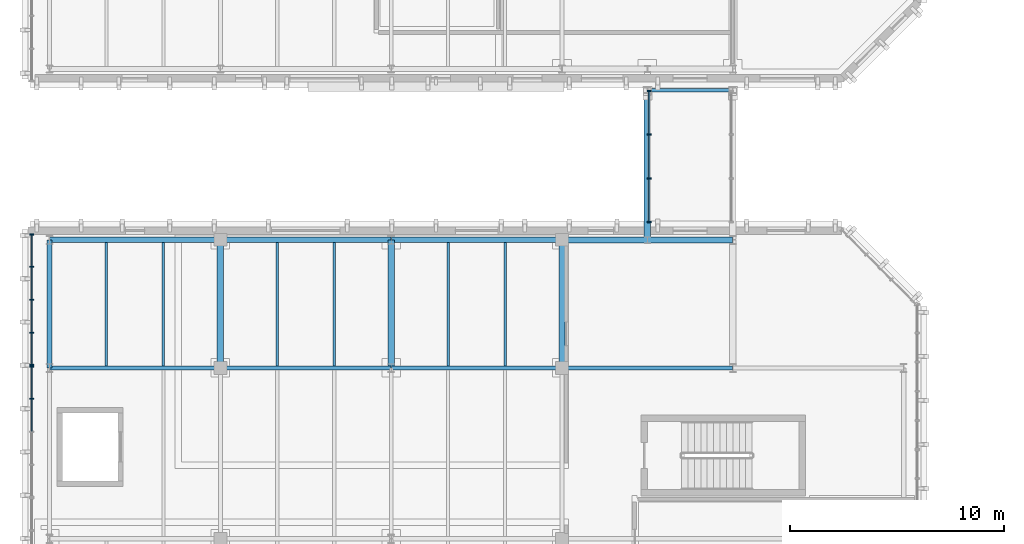
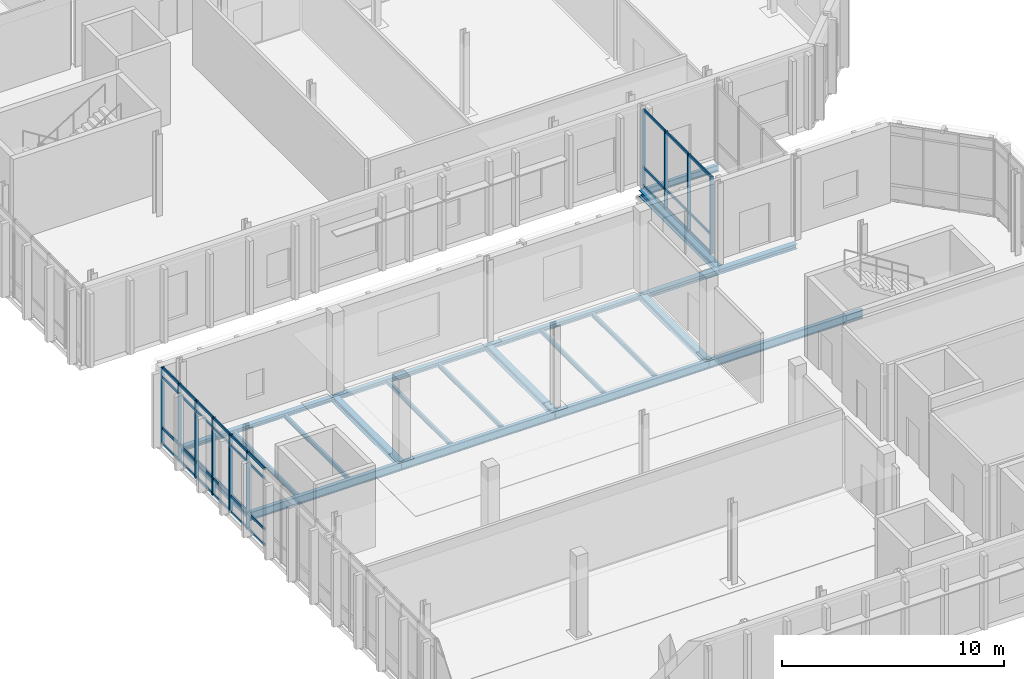
# One storey, part 36 of 100: 44 members, 21 beams, 3 elements without a shape of their own.
"""IFC4 building model written with IfcOpenShell, lengths in metres."""

from ifc_helpers import new_model, si_unit, direction, frame, origin, origin_2d, place, context, subcontext, project, spatial, rectangle, i_section, extrude, material, material_profile, profile_set, type_object, element, aggregate, save


model = new_model("IFC4")

# Units and contexts
model_context = context("Model", 3, precision=1e-05, world=origin(), true_north=direction((0.0, 1.0)))
body_context = subcontext(model_context, "Body", "Model", "MODEL_VIEW")
ifc_project = project(units=[si_unit("LENGTHUNIT", "METRE"), si_unit("AREAUNIT", "SQUARE_METRE"), si_unit("VOLUMEUNIT", "CUBIC_METRE"), si_unit("PLANEANGLEUNIT", "RADIAN"), si_unit("MASSUNIT", "GRAM", prefix="KILO")], contexts=[model_context])

# Site, building, storey
site_placement = place(None, origin())
site = spatial("IfcSite", under=ifc_project, at=site_placement, CompositionType="ELEMENT")
building_placement = place(site_placement, origin())
building = spatial("IfcBuilding", under=site, at=building_placement, Name="Cymarion Research Institute", CompositionType="ELEMENT")
storey_placement = place(building_placement, frame((0.0, 0.0, 9.300048828125)))
storey = spatial("IfcBuildingStorey", under=building, at=storey_placement, Name="L02", CompositionType="ELEMENT", Elevation=9.300048828125)

# Curtain wall, members
ifc_material_1 = material(Name="Anodised aluminium unitised curtain wall with Low-E glazing", Category="aluminium")
curtain_wall_type_1 = type_object("IfcCurtainWallType", Name="UNITISED CURTAIN WALL CW22 6180X4250", PredefinedType="NOTDEFINED", material=ifc_material_1)
curtain_wall_1_placement = place(storey_placement, origin())
curtain_wall_1 = element("IfcCurtainWall", 1, at=curtain_wall_1_placement, inside=storey, type_object=curtain_wall_type_1, Name="L02 V4 unitised curtain wall CW22 #103", PredefinedType="NOTDEFINED")
ifc_material_2 = material(Name="Anodised aluminium framing", Category="aluminium")
ifc_material_profile_1 = material_profile(ifc_material_2, rectangle(XDim=0.06005859375, YDim=0.179931640625, at=origin_2d()), Name="ALU MULLION 60x180")
ifc_profile_set_1 = profile_set([ifc_material_profile_1], Name="Anodised aluminium framing")
member_type_1 = type_object("IfcMemberType", Name="CURTAIN WALL MULLION ML01 60X180", PredefinedType="MULLION", material=ifc_profile_set_1)
member_1_placement = place(storey_placement, frame((5.77001953125, 77.748046875, 0.0), z_axis=(0.0, 0.0, 1.0), x_axis=(0.0, -1.0, 0.0)))
member_1 = element("IfcMember", 2, at=member_1_placement, type_object=member_type_1, Name="CW22 mullion 1", PredefinedType="MULLION", context=body_context, shape_type="SweptSolid", body=[
    extrude(rectangle(XDim=0.06005859375, YDim=0.179931640625, at=origin_2d()), origin(), (0.0, 0.0, 1.0), 4.25),
])
member_2_placement = place(storey_placement, frame((5.77001953125, 76.234130859375, 0.0), z_axis=(0.0, 0.0, 1.0), x_axis=(0.0, -1.0, 0.0)))
member_2 = element("IfcMember", 3, at=member_2_placement, type_object=member_type_1, Name="CW22 mullion 2", PredefinedType="MULLION", context=body_context, shape_type="SweptSolid", body=[
    extrude(rectangle(XDim=0.06005859375, YDim=0.179931640625, at=origin_2d()), origin(), (0.0, 0.0, 1.0), 4.25),
])
member_3_placement = place(storey_placement, frame((5.77001953125, 74.690185546875, 0.0), z_axis=(0.0, 0.0, 1.0), x_axis=(0.0, -1.0, 0.0)))
member_3 = element("IfcMember", 4, at=member_3_placement, type_object=member_type_1, Name="CW22 mullion 3", PredefinedType="MULLION", context=body_context, shape_type="SweptSolid", body=[
    extrude(rectangle(XDim=0.06005859375, YDim=0.179931640625, at=origin_2d()), origin(), (0.0, 0.0, 1.0), 4.25),
])
member_4_placement = place(storey_placement, frame((5.77001953125, 73.146240234375, 0.0), z_axis=(0.0, 0.0, 1.0), x_axis=(0.0, -1.0, 0.0)))
member_4 = element("IfcMember", 5, at=member_4_placement, type_object=member_type_1, Name="CW22 mullion 4", PredefinedType="MULLION", context=body_context, shape_type="SweptSolid", body=[
    extrude(rectangle(XDim=0.06005859375, YDim=0.179931640625, at=origin_2d()), origin(), (0.0, 0.0, 1.0), 4.25),
])
member_5_placement = place(storey_placement, frame((5.77001953125, 71.63232421875, 0.0), z_axis=(0.0, 0.0, 1.0), x_axis=(0.0, -1.0, 0.0)))
member_5 = element("IfcMember", 6, at=member_5_placement, type_object=member_type_1, Name="CW22 mullion 5", PredefinedType="MULLION", context=body_context, shape_type="SweptSolid", body=[
    extrude(rectangle(XDim=0.06005859375, YDim=0.179931640625, at=origin_2d()), origin(), (0.0, 0.0, 1.0), 4.25),
])

curtain_wall_2_placement = place(storey_placement, origin())
curtain_wall_2 = element("IfcCurtainWall", 7, at=curtain_wall_2_placement, inside=storey, type_object=curtain_wall_type_1, Name="L02 V4 unitised curtain wall CW22 #104", PredefinedType="NOTDEFINED")
member_6_placement = place(storey_placement, frame((5.77001953125, 71.572509765625, 0.0), z_axis=(0.0, 0.0, 1.0), x_axis=(0.0, -1.0, 0.0)))
member_6 = element("IfcMember", 8, at=member_6_placement, type_object=member_type_1, Name="CW22 mullion 1", PredefinedType="MULLION", context=body_context, shape_type="SweptSolid", body=[
    extrude(rectangle(XDim=0.06005859375, YDim=0.179931640625, at=origin_2d()), origin(), (0.0, 0.0, 1.0), 4.25),
])
member_7_placement = place(storey_placement, frame((5.77001953125, 70.05859375, 0.0), z_axis=(0.0, 0.0, 1.0), x_axis=(0.0, -1.0, 0.0)))
member_7 = element("IfcMember", 9, at=member_7_placement, type_object=member_type_1, Name="CW22 mullion 2", PredefinedType="MULLION", context=body_context, shape_type="SweptSolid", body=[
    extrude(rectangle(XDim=0.06005859375, YDim=0.179931640625, at=origin_2d()), origin(), (0.0, 0.0, 1.0), 4.25),
])

curtain_wall_type_2 = type_object("IfcCurtainWallType", Name="UNITISED CURTAIN WALL CW25 6200X4260", PredefinedType="NOTDEFINED", material=ifc_material_1)
curtain_wall_3_placement = place(storey_placement, origin())
curtain_wall_3 = element("IfcCurtainWall", 10, at=curtain_wall_3_placement, inside=storey, type_object=curtain_wall_type_2, Name="L02 SP2 sky-passage glazed wall 1", PredefinedType="NOTDEFINED")
member_8_placement = place(storey_placement, frame((34.679931640625, 78.330078125, 0.0), z_axis=(0.0, 0.0, 1.0), x_axis=(0.0, 1.0, 0.0)))
member_8 = element("IfcMember", 11, at=member_8_placement, type_object=member_type_1, Name="CW25 mullion 1", PredefinedType="MULLION", context=body_context, shape_type="SweptSolid", body=[
    extrude(rectangle(XDim=0.06005859375, YDim=0.179931640625, at=origin_2d()), origin(), (0.0, 0.0, 1.0), 4.260009765625),
])
member_9_placement = place(storey_placement, frame((34.679931640625, 80.36669921875, 0.0), z_axis=(0.0, 0.0, 1.0), x_axis=(0.0, 1.0, 0.0)))
member_9 = element("IfcMember", 12, at=member_9_placement, type_object=member_type_1, Name="CW25 mullion 2", PredefinedType="MULLION", context=body_context, shape_type="SweptSolid", body=[
    extrude(rectangle(XDim=0.06005859375, YDim=0.179931640625, at=origin_2d()), origin(), (0.0, 0.0, 1.0), 4.260009765625),
])
member_10_placement = place(storey_placement, frame((34.679931640625, 82.433349609375, 0.0), z_axis=(0.0, 0.0, 1.0), x_axis=(0.0, 1.0, 0.0)))
member_10 = element("IfcMember", 13, at=member_10_placement, type_object=member_type_1, Name="CW25 mullion 3", PredefinedType="MULLION", context=body_context, shape_type="SweptSolid", body=[
    extrude(rectangle(XDim=0.06005859375, YDim=0.179931640625, at=origin_2d()), origin(), (0.0, 0.0, 1.0), 4.260009765625),
])
member_11_placement = place(storey_placement, frame((34.679931640625, 84.469970703125, 0.0), z_axis=(0.0, 0.0, 1.0), x_axis=(0.0, 1.0, 0.0)))
member_11 = element("IfcMember", 14, at=member_11_placement, type_object=member_type_1, Name="CW25 mullion 4", PredefinedType="MULLION", context=body_context, shape_type="SweptSolid", body=[
    extrude(rectangle(XDim=0.06005859375, YDim=0.179931640625, at=origin_2d()), origin(), (0.0, 0.0, 1.0), 4.260009765625),
])

# Member
ifc_material_profile_2 = material_profile(ifc_material_2, rectangle(XDim=0.06005859375, YDim=0.14990234375, at=origin_2d()), Name="ALU TRANSOM 60x150")
ifc_profile_set_2 = profile_set([ifc_material_profile_2], Name="Anodised aluminium framing")
member_type_2 = type_object("IfcMemberType", Name="CURTAIN WALL TRANSOM TR01 60X150", PredefinedType="USERDEFINED", material=ifc_profile_set_2)
member_12_placement = place(storey_placement, frame((5.77001953125, 77.718017578125, 0.030029296875), z_axis=(0.0, -1.0, 0.0), x_axis=(1.0, 0.0, 0.0)))
member_12 = element("IfcMember", 15, at=member_12_placement, type_object=member_type_2, Name="CW22 transom 1.1", ObjectType="TRANSOM", PredefinedType="USERDEFINED", context=body_context, shape_type="SweptSolid", body=[
    extrude(rectangle(XDim=0.06005859375, YDim=0.14990234375, at=origin_2d()), origin(), (0.0, 0.0, 1.0), 1.453857421875),
])

member_13_placement = place(storey_placement, frame((5.77001953125, 77.718017578125, 0.89990234375), z_axis=(0.0, -1.0, 0.0), x_axis=(1.0, 0.0, 0.0)))
member_13 = element("IfcMember", 16, at=member_13_placement, type_object=member_type_2, Name="CW22 transom 1.2", ObjectType="TRANSOM", PredefinedType="USERDEFINED", context=body_context, shape_type="SweptSolid", body=[
    extrude(rectangle(XDim=0.06005859375, YDim=0.14990234375, at=origin_2d()), origin(), (0.0, 0.0, 1.0), 1.453857421875),
])

member_14_placement = place(storey_placement, frame((5.77001953125, 77.718017578125, 3.699951171875), z_axis=(0.0, -1.0, 0.0), x_axis=(1.0, 0.0, 0.0)))
member_14 = element("IfcMember", 17, at=member_14_placement, type_object=member_type_2, Name="CW22 transom 1.3", ObjectType="TRANSOM", PredefinedType="USERDEFINED", context=body_context, shape_type="SweptSolid", body=[
    extrude(rectangle(XDim=0.06005859375, YDim=0.14990234375, at=origin_2d()), origin(), (0.0, 0.0, 1.0), 1.453857421875),
])

member_15_placement = place(storey_placement, frame((5.77001953125, 77.718017578125, 4.219970703125), z_axis=(0.0, -1.0, 0.0), x_axis=(1.0, 0.0, 0.0)))
member_15 = element("IfcMember", 18, at=member_15_placement, type_object=member_type_2, Name="CW22 transom 1.4", ObjectType="TRANSOM", PredefinedType="USERDEFINED", context=body_context, shape_type="SweptSolid", body=[
    extrude(rectangle(XDim=0.06005859375, YDim=0.14990234375, at=origin_2d()), origin(), (0.0, 0.0, 1.0), 1.453857421875),
])

member_16_placement = place(storey_placement, frame((5.77001953125, 76.2041015625, 0.030029296875), z_axis=(0.0, -1.0, 0.0), x_axis=(1.0, 0.0, 0.0)))
member_16 = element("IfcMember", 19, at=member_16_placement, type_object=member_type_2, Name="CW22 transom 2.1", ObjectType="TRANSOM", PredefinedType="USERDEFINED", context=body_context, shape_type="SweptSolid", body=[
    extrude(rectangle(XDim=0.06005859375, YDim=0.14990234375, at=origin_2d()), origin(), (0.0, 0.0, 1.0), 1.48388671875),
])

member_17_placement = place(storey_placement, frame((5.77001953125, 76.2041015625, 0.89990234375), z_axis=(0.0, -1.0, 0.0), x_axis=(1.0, 0.0, 0.0)))
member_17 = element("IfcMember", 20, at=member_17_placement, type_object=member_type_2, Name="CW22 transom 2.2", ObjectType="TRANSOM", PredefinedType="USERDEFINED", context=body_context, shape_type="SweptSolid", body=[
    extrude(rectangle(XDim=0.06005859375, YDim=0.14990234375, at=origin_2d()), origin(), (0.0, 0.0, 1.0), 1.48388671875),
])

member_18_placement = place(storey_placement, frame((5.77001953125, 76.2041015625, 3.699951171875), z_axis=(0.0, -1.0, 0.0), x_axis=(1.0, 0.0, 0.0)))
member_18 = element("IfcMember", 21, at=member_18_placement, type_object=member_type_2, Name="CW22 transom 2.3", ObjectType="TRANSOM", PredefinedType="USERDEFINED", context=body_context, shape_type="SweptSolid", body=[
    extrude(rectangle(XDim=0.06005859375, YDim=0.14990234375, at=origin_2d()), origin(), (0.0, 0.0, 1.0), 1.48388671875),
])

member_19_placement = place(storey_placement, frame((5.77001953125, 76.2041015625, 4.219970703125), z_axis=(0.0, -1.0, 0.0), x_axis=(1.0, 0.0, 0.0)))
member_19 = element("IfcMember", 22, at=member_19_placement, type_object=member_type_2, Name="CW22 transom 2.4", ObjectType="TRANSOM", PredefinedType="USERDEFINED", context=body_context, shape_type="SweptSolid", body=[
    extrude(rectangle(XDim=0.06005859375, YDim=0.14990234375, at=origin_2d()), origin(), (0.0, 0.0, 1.0), 1.48388671875),
])

member_20_placement = place(storey_placement, frame((5.77001953125, 74.66015625, 0.030029296875), z_axis=(0.0, -1.0, 0.0), x_axis=(1.0, 0.0, 0.0)))
member_20 = element("IfcMember", 23, at=member_20_placement, type_object=member_type_2, Name="CW22 transom 3.1", ObjectType="TRANSOM", PredefinedType="USERDEFINED", context=body_context, shape_type="SweptSolid", body=[
    extrude(rectangle(XDim=0.06005859375, YDim=0.14990234375, at=origin_2d()), origin(), (0.0, 0.0, 1.0), 1.48388671875),
])

member_21_placement = place(storey_placement, frame((5.77001953125, 74.66015625, 0.89990234375), z_axis=(0.0, -1.0, 0.0), x_axis=(1.0, 0.0, 0.0)))
member_21 = element("IfcMember", 24, at=member_21_placement, type_object=member_type_2, Name="CW22 transom 3.2", ObjectType="TRANSOM", PredefinedType="USERDEFINED", context=body_context, shape_type="SweptSolid", body=[
    extrude(rectangle(XDim=0.06005859375, YDim=0.14990234375, at=origin_2d()), origin(), (0.0, 0.0, 1.0), 1.48388671875),
])

member_22_placement = place(storey_placement, frame((5.77001953125, 74.66015625, 3.699951171875), z_axis=(0.0, -1.0, 0.0), x_axis=(1.0, 0.0, 0.0)))
member_22 = element("IfcMember", 25, at=member_22_placement, type_object=member_type_2, Name="CW22 transom 3.3", ObjectType="TRANSOM", PredefinedType="USERDEFINED", context=body_context, shape_type="SweptSolid", body=[
    extrude(rectangle(XDim=0.06005859375, YDim=0.14990234375, at=origin_2d()), origin(), (0.0, 0.0, 1.0), 1.48388671875),
])

member_23_placement = place(storey_placement, frame((5.77001953125, 74.66015625, 4.219970703125), z_axis=(0.0, -1.0, 0.0), x_axis=(1.0, 0.0, 0.0)))
member_23 = element("IfcMember", 26, at=member_23_placement, type_object=member_type_2, Name="CW22 transom 3.4", ObjectType="TRANSOM", PredefinedType="USERDEFINED", context=body_context, shape_type="SweptSolid", body=[
    extrude(rectangle(XDim=0.06005859375, YDim=0.14990234375, at=origin_2d()), origin(), (0.0, 0.0, 1.0), 1.48388671875),
])

member_24_placement = place(storey_placement, frame((5.77001953125, 73.1162109375, 0.030029296875), z_axis=(0.0, -1.0, 0.0), x_axis=(1.0, 0.0, 0.0)))
member_24 = element("IfcMember", 27, at=member_24_placement, type_object=member_type_2, Name="CW22 transom 4.1", ObjectType="TRANSOM", PredefinedType="USERDEFINED", context=body_context, shape_type="SweptSolid", body=[
    extrude(rectangle(XDim=0.06005859375, YDim=0.14990234375, at=origin_2d()), origin(), (0.0, 0.0, 1.0), 1.453857421875),
])

member_25_placement = place(storey_placement, frame((5.77001953125, 73.1162109375, 0.89990234375), z_axis=(0.0, -1.0, 0.0), x_axis=(1.0, 0.0, 0.0)))
member_25 = element("IfcMember", 28, at=member_25_placement, type_object=member_type_2, Name="CW22 transom 4.2", ObjectType="TRANSOM", PredefinedType="USERDEFINED", context=body_context, shape_type="SweptSolid", body=[
    extrude(rectangle(XDim=0.06005859375, YDim=0.14990234375, at=origin_2d()), origin(), (0.0, 0.0, 1.0), 1.453857421875),
])

member_26_placement = place(storey_placement, frame((5.77001953125, 73.1162109375, 3.699951171875), z_axis=(0.0, -1.0, 0.0), x_axis=(1.0, 0.0, 0.0)))
member_26 = element("IfcMember", 29, at=member_26_placement, type_object=member_type_2, Name="CW22 transom 4.3", ObjectType="TRANSOM", PredefinedType="USERDEFINED", context=body_context, shape_type="SweptSolid", body=[
    extrude(rectangle(XDim=0.06005859375, YDim=0.14990234375, at=origin_2d()), origin(), (0.0, 0.0, 1.0), 1.453857421875),
])

member_27_placement = place(storey_placement, frame((5.77001953125, 73.1162109375, 4.219970703125), z_axis=(0.0, -1.0, 0.0), x_axis=(1.0, 0.0, 0.0)))
member_27 = element("IfcMember", 30, at=member_27_placement, type_object=member_type_2, Name="CW22 transom 4.4", ObjectType="TRANSOM", PredefinedType="USERDEFINED", context=body_context, shape_type="SweptSolid", body=[
    extrude(rectangle(XDim=0.06005859375, YDim=0.14990234375, at=origin_2d()), origin(), (0.0, 0.0, 1.0), 1.453857421875),
])

aggregate(curtain_wall_1, [member_1, member_2, member_3, member_4, member_5, member_12, member_13, member_14, member_15, member_16, member_17, member_18, member_19, member_20, member_21, member_22, member_23, member_24, member_25, member_26, member_27])

member_28_placement = place(storey_placement, frame((5.77001953125, 71.54248046875, 0.030029296875), z_axis=(0.0, -1.0, 0.0), x_axis=(1.0, 0.0, 0.0)))
member_28 = element("IfcMember", 31, at=member_28_placement, type_object=member_type_2, Name="CW22 transom 1.1", ObjectType="TRANSOM", PredefinedType="USERDEFINED", context=body_context, shape_type="SweptSolid", body=[
    extrude(rectangle(XDim=0.06005859375, YDim=0.14990234375, at=origin_2d()), origin(), (0.0, 0.0, 1.0), 1.4541015625),
])

member_29_placement = place(storey_placement, frame((5.77001953125, 71.54248046875, 0.89990234375), z_axis=(0.0, -1.0, 0.0), x_axis=(1.0, 0.0, 0.0)))
member_29 = element("IfcMember", 32, at=member_29_placement, type_object=member_type_2, Name="CW22 transom 1.2", ObjectType="TRANSOM", PredefinedType="USERDEFINED", context=body_context, shape_type="SweptSolid", body=[
    extrude(rectangle(XDim=0.06005859375, YDim=0.14990234375, at=origin_2d()), origin(), (0.0, 0.0, 1.0), 1.4541015625),
])

member_30_placement = place(storey_placement, frame((5.77001953125, 71.54248046875, 3.699951171875), z_axis=(0.0, -1.0, 0.0), x_axis=(1.0, 0.0, 0.0)))
member_30 = element("IfcMember", 33, at=member_30_placement, type_object=member_type_2, Name="CW22 transom 1.3", ObjectType="TRANSOM", PredefinedType="USERDEFINED", context=body_context, shape_type="SweptSolid", body=[
    extrude(rectangle(XDim=0.06005859375, YDim=0.14990234375, at=origin_2d()), origin(), (0.0, 0.0, 1.0), 1.4541015625),
])

member_31_placement = place(storey_placement, frame((5.77001953125, 71.54248046875, 4.219970703125), z_axis=(0.0, -1.0, 0.0), x_axis=(1.0, 0.0, 0.0)))
member_31 = element("IfcMember", 34, at=member_31_placement, type_object=member_type_2, Name="CW22 transom 1.4", ObjectType="TRANSOM", PredefinedType="USERDEFINED", context=body_context, shape_type="SweptSolid", body=[
    extrude(rectangle(XDim=0.06005859375, YDim=0.14990234375, at=origin_2d()), origin(), (0.0, 0.0, 1.0), 1.4541015625),
])

member_32_placement = place(storey_placement, frame((5.77001953125, 70.028564453125, 0.030029296875), z_axis=(0.0, -1.0, 0.0), x_axis=(1.0, 0.0, 0.0)))
member_32 = element("IfcMember", 35, at=member_32_placement, type_object=member_type_2, Name="CW22 transom 2.1", ObjectType="TRANSOM", PredefinedType="USERDEFINED", context=body_context, shape_type="SweptSolid", body=[
    extrude(rectangle(XDim=0.06005859375, YDim=0.14990234375, at=origin_2d()), origin(), (0.0, 0.0, 1.0), 1.48388671875),
])

member_33_placement = place(storey_placement, frame((5.77001953125, 70.028564453125, 0.89990234375), z_axis=(0.0, -1.0, 0.0), x_axis=(1.0, 0.0, 0.0)))
member_33 = element("IfcMember", 36, at=member_33_placement, type_object=member_type_2, Name="CW22 transom 2.2", ObjectType="TRANSOM", PredefinedType="USERDEFINED", context=body_context, shape_type="SweptSolid", body=[
    extrude(rectangle(XDim=0.06005859375, YDim=0.14990234375, at=origin_2d()), origin(), (0.0, 0.0, 1.0), 1.48388671875),
])

member_34_placement = place(storey_placement, frame((5.77001953125, 70.028564453125, 3.699951171875), z_axis=(0.0, -1.0, 0.0), x_axis=(1.0, 0.0, 0.0)))
member_34 = element("IfcMember", 37, at=member_34_placement, type_object=member_type_2, Name="CW22 transom 2.3", ObjectType="TRANSOM", PredefinedType="USERDEFINED", context=body_context, shape_type="SweptSolid", body=[
    extrude(rectangle(XDim=0.06005859375, YDim=0.14990234375, at=origin_2d()), origin(), (0.0, 0.0, 1.0), 1.48388671875),
])

member_35_placement = place(storey_placement, frame((5.77001953125, 70.028564453125, 4.219970703125), z_axis=(0.0, -1.0, 0.0), x_axis=(1.0, 0.0, 0.0)))
member_35 = element("IfcMember", 38, at=member_35_placement, type_object=member_type_2, Name="CW22 transom 2.4", ObjectType="TRANSOM", PredefinedType="USERDEFINED", context=body_context, shape_type="SweptSolid", body=[
    extrude(rectangle(XDim=0.06005859375, YDim=0.14990234375, at=origin_2d()), origin(), (0.0, 0.0, 1.0), 1.48388671875),
])

aggregate(curtain_wall_2, [member_6, member_7, member_28, member_29, member_30, member_31, member_32, member_33, member_34, member_35])

member_36_placement = place(storey_placement, frame((34.679931640625, 78.360107421875, 0.030029296875), z_axis=(0.0, 1.0, 0.0), x_axis=(-1.0, 0.0, 0.0)))
member_36 = element("IfcMember", 39, at=member_36_placement, type_object=member_type_2, Name="CW25 transom 1.1", ObjectType="TRANSOM", PredefinedType="USERDEFINED", context=body_context, shape_type="SweptSolid", body=[
    extrude(rectangle(XDim=0.06005859375, YDim=0.14990234375, at=origin_2d()), origin(), (0.0, 0.0, 1.0), 1.9765625),
])

member_37_placement = place(storey_placement, frame((34.679931640625, 78.360107421875, 1.050048828125), z_axis=(0.0, 1.0, 0.0), x_axis=(-1.0, 0.0, 0.0)))
member_37 = element("IfcMember", 40, at=member_37_placement, type_object=member_type_2, Name="CW25 transom 1.2", ObjectType="TRANSOM", PredefinedType="USERDEFINED", context=body_context, shape_type="SweptSolid", body=[
    extrude(rectangle(XDim=0.06005859375, YDim=0.14990234375, at=origin_2d()), origin(), (0.0, 0.0, 1.0), 1.9765625),
])

member_38_placement = place(storey_placement, frame((34.679931640625, 78.360107421875, 4.22998046875), z_axis=(0.0, 1.0, 0.0), x_axis=(-1.0, 0.0, 0.0)))
member_38 = element("IfcMember", 41, at=member_38_placement, type_object=member_type_2, Name="CW25 transom 1.3", ObjectType="TRANSOM", PredefinedType="USERDEFINED", context=body_context, shape_type="SweptSolid", body=[
    extrude(rectangle(XDim=0.06005859375, YDim=0.14990234375, at=origin_2d()), origin(), (0.0, 0.0, 1.0), 1.9765625),
])

member_39_placement = place(storey_placement, frame((34.679931640625, 80.396728515625, 0.030029296875), z_axis=(0.0, 1.0, 0.0), x_axis=(-1.0, 0.0, 0.0)))
member_39 = element("IfcMember", 42, at=member_39_placement, type_object=member_type_2, Name="CW25 transom 2.1", ObjectType="TRANSOM", PredefinedType="USERDEFINED", context=body_context, shape_type="SweptSolid", body=[
    extrude(rectangle(XDim=0.06005859375, YDim=0.14990234375, at=origin_2d()), origin(), (0.0, 0.0, 1.0), 2.006591796875),
])

member_40_placement = place(storey_placement, frame((34.679931640625, 80.396728515625, 1.050048828125), z_axis=(0.0, 1.0, 0.0), x_axis=(-1.0, 0.0, 0.0)))
member_40 = element("IfcMember", 43, at=member_40_placement, type_object=member_type_2, Name="CW25 transom 2.2", ObjectType="TRANSOM", PredefinedType="USERDEFINED", context=body_context, shape_type="SweptSolid", body=[
    extrude(rectangle(XDim=0.06005859375, YDim=0.14990234375, at=origin_2d()), origin(), (0.0, 0.0, 1.0), 2.006591796875),
])

member_41_placement = place(storey_placement, frame((34.679931640625, 80.396728515625, 4.22998046875), z_axis=(0.0, 1.0, 0.0), x_axis=(-1.0, 0.0, 0.0)))
member_41 = element("IfcMember", 44, at=member_41_placement, type_object=member_type_2, Name="CW25 transom 2.3", ObjectType="TRANSOM", PredefinedType="USERDEFINED", context=body_context, shape_type="SweptSolid", body=[
    extrude(rectangle(XDim=0.06005859375, YDim=0.14990234375, at=origin_2d()), origin(), (0.0, 0.0, 1.0), 2.006591796875),
])

member_42_placement = place(storey_placement, frame((34.679931640625, 82.46337890625, 0.030029296875), z_axis=(0.0, 1.0, 0.0), x_axis=(-1.0, 0.0, 0.0)))
member_42 = element("IfcMember", 45, at=member_42_placement, type_object=member_type_2, Name="CW25 transom 3.1", ObjectType="TRANSOM", PredefinedType="USERDEFINED", context=body_context, shape_type="SweptSolid", body=[
    extrude(rectangle(XDim=0.06005859375, YDim=0.14990234375, at=origin_2d()), origin(), (0.0, 0.0, 1.0), 1.9765625),
])

member_43_placement = place(storey_placement, frame((34.679931640625, 82.46337890625, 1.050048828125), z_axis=(0.0, 1.0, 0.0), x_axis=(-1.0, 0.0, 0.0)))
member_43 = element("IfcMember", 46, at=member_43_placement, type_object=member_type_2, Name="CW25 transom 3.2", ObjectType="TRANSOM", PredefinedType="USERDEFINED", context=body_context, shape_type="SweptSolid", body=[
    extrude(rectangle(XDim=0.06005859375, YDim=0.14990234375, at=origin_2d()), origin(), (0.0, 0.0, 1.0), 1.9765625),
])

member_44_placement = place(storey_placement, frame((34.679931640625, 82.46337890625, 4.22998046875), z_axis=(0.0, 1.0, 0.0), x_axis=(-1.0, 0.0, 0.0)))
member_44 = element("IfcMember", 47, at=member_44_placement, type_object=member_type_2, Name="CW25 transom 3.3", ObjectType="TRANSOM", PredefinedType="USERDEFINED", context=body_context, shape_type="SweptSolid", body=[
    extrude(rectangle(XDim=0.06005859375, YDim=0.14990234375, at=origin_2d()), origin(), (0.0, 0.0, 1.0), 1.9765625),
])

aggregate(curtain_wall_3, [member_8, member_9, member_10, member_11, member_36, member_37, member_38, member_39, member_40, member_41, member_42, member_43, member_44])

# Beams
ifc_material_3 = material(Name="Steel S355", Category="steel")
ifc_material_profile_3 = material_profile(ifc_material_3, i_section(OverallWidth=0.18994140625, OverallDepth=0.449951171875, WebThickness=0.009521484375, FlangeThickness=0.0146484375, FilletRadius=0.02099609375, at=origin_2d()), Name="IPE 450")
ifc_profile_set_3 = profile_set([ifc_material_profile_3], Name="Steel S355")
beam_type_1 = type_object("IfcBeamType", Name="PRIMARY GIRDER BM04 IPE 450", PredefinedType="BEAM", material=ifc_profile_set_3)
for number, where, z_axis, x_axis, name in (
    (48, (6.60595703125, 71.5, -0.47509765625), (1.0, 0.0, 0.0), (0.0, 1.0, 0.0), "L02 V4 girder BM04 #1043"),
    (49, (14.60595703125, 71.5, -0.47509765625), (1.0, 0.0, 0.0), (0.0, 1.0, 0.0), "L02 V4 girder BM04 #1044"),
    (50, (22.60595703125, 71.5, -0.47509765625), (1.0, 0.0, 0.0), (0.0, 1.0, 0.0), "L02 V4 girder BM04 #1045"),
    (51, (30.60595703125, 71.5, -0.47509765625), (1.0, 0.0, 0.0), (0.0, 1.0, 0.0), "L02 V4 girder BM04 #1046"),
):
    element("IfcBeam", number, at=place(storey_placement, frame(where, z_axis=z_axis, x_axis=x_axis)), inside=storey, type_object=beam_type_1, Name=name, PredefinedType="BEAM", context=body_context, shape_type="SweptSolid", body=[
        extrude(i_section(OverallWidth=0.18994140625, OverallDepth=0.449951171875, WebThickness=0.009521484375, FlangeThickness=0.0146484375, FilletRadius=0.02099609375, at=origin_2d()), origin(), (0.0, 0.0, 1.0), 7.988037109375),
    ])
ifc_material_profile_4 = material_profile(ifc_material_3, i_section(OverallWidth=0.169921875, OverallDepth=0.360107421875, WebThickness=0.008056640625, FlangeThickness=0.0126953125, FilletRadius=0.01806640625, at=origin_2d()), Name="IPE 360")
ifc_profile_set_4 = profile_set([ifc_material_profile_4], Name="Steel S355")
beam_type_2 = type_object("IfcBeamType", Name="PRIMARY GIRDER BM06 IPE 360", PredefinedType="BEAM", material=ifc_profile_set_4)
beam_1_placement = place(storey_placement, frame((34.60595703125, 84.5, -0.340087890625), z_axis=(1.0, 0.0, 0.0), x_axis=(0.0, 1.0, 0.0)))
element("IfcBeam", 52, at=beam_1_placement, inside=storey, type_object=beam_type_2, Name="L02 V4 girder BM06 #1053", PredefinedType="BEAM", context=body_context, shape_type="SweptSolid", body=[
    extrude(i_section(OverallWidth=0.169921875, OverallDepth=0.360107421875, WebThickness=0.008056640625, FlangeThickness=0.0126953125, FilletRadius=0.01806640625, at=origin_2d()), origin(), (0.0, 0.0, 1.0), 3.988037109375),
])
ifc_material_profile_5 = material_profile(ifc_material_3, i_section(OverallWidth=0.300048828125, OverallDepth=0.35009765625, WebThickness=0.010009765625, FlangeThickness=0.017578125, FilletRadius=0.027099609375, at=origin_2d()), Name="HEA 360")
ifc_profile_set_5 = profile_set([ifc_material_profile_5], Name="Steel S355")
beam_type_3 = type_object("IfcBeamType", Name="PRIMARY GIRDER BM12 HEA 360", PredefinedType="BEAM", material=ifc_profile_set_5)
for number, where, z_axis, x_axis, name in (
    (53, (14.60009765625, 71.506103515625, -0.425048828125), (0.0, 1.0, 0.0), (-1.0, 0.0, 0.0), "L02 V4 girder BM12 #1061"),
    (54, (22.60009765625, 71.506103515625, -0.425048828125), (0.0, 1.0, 0.0), (-1.0, 0.0, 0.0), "L02 V4 girder BM12 #1065"),
    (55, (30.60009765625, 71.506103515625, -0.425048828125), (0.0, 1.0, 0.0), (-1.0, 0.0, 0.0), "L02 V4 girder BM12 #1069"),
):
    element("IfcBeam", number, at=place(storey_placement, frame(where, z_axis=z_axis, x_axis=x_axis)), inside=storey, type_object=beam_type_3, Name=name, PredefinedType="BEAM", context=body_context, shape_type="SweptSolid", body=[
        extrude(i_section(OverallWidth=0.300048828125, OverallDepth=0.35009765625, WebThickness=0.010009765625, FlangeThickness=0.017578125, FilletRadius=0.027099609375, at=origin_2d()), origin(), (0.0, 0.0, 1.0), 5.98779296875),
    ])
beam_2_placement = place(storey_placement, frame((34.60009765625, 77.506103515625, -0.3349609375), z_axis=(0.0, 1.0, 0.0), x_axis=(-1.0, 0.0, 0.0)))
element("IfcBeam", 56, at=beam_2_placement, inside=storey, type_object=beam_type_3, Name="L02 V4 girder BM12 #1070", PredefinedType="BEAM", context=body_context, shape_type="SweptSolid", body=[
    extrude(i_section(OverallWidth=0.300048828125, OverallDepth=0.35009765625, WebThickness=0.010009765625, FlangeThickness=0.017578125, FilletRadius=0.027099609375, at=origin_2d()), origin(), (0.0, 0.0, 1.0), 6.98779296875),
])
ifc_material_profile_6 = material_profile(ifc_material_3, i_section(OverallWidth=0.1201171875, OverallDepth=0.239990234375, WebThickness=0.006103515625, FlangeThickness=0.009765625, FilletRadius=0.014892578125, at=origin_2d()), Name="IPE 240")
ifc_profile_set_6 = profile_set([ifc_material_profile_6], Name="Steel S355")
beam_type_4 = type_object("IfcBeamType", Name="SECONDARY JOIST JS04 IPE 240", PredefinedType="JOIST", material=ifc_profile_set_6)
for number, where, z_axis, x_axis, name in (
    (57, (9.2666015625, 71.59912109375, -0.3701171875), (0.0, 1.0, 0.0), (-1.0, 0.0, 0.0), "L02 V4 secondary joist JS04 #1093"),
    (58, (11.933349609375, 71.59912109375, -0.3701171875), (0.0, 1.0, 0.0), (-1.0, 0.0, 0.0), "L02 V4 secondary joist JS04 #1094"),
    (59, (17.2666015625, 71.59912109375, -0.3701171875), (0.0, 1.0, 0.0), (-1.0, 0.0, 0.0), "L02 V4 secondary joist JS04 #1095"),
    (60, (19.933349609375, 71.59912109375, -0.3701171875), (0.0, 1.0, 0.0), (-1.0, 0.0, 0.0), "L02 V4 secondary joist JS04 #1096"),
    (61, (25.2666015625, 71.59912109375, -0.3701171875), (0.0, 1.0, 0.0), (-1.0, 0.0, 0.0), "L02 V4 secondary joist JS04 #1097"),
    (62, (27.933349609375, 71.59912109375, -0.3701171875), (0.0, 1.0, 0.0), (-1.0, 0.0, 0.0), "L02 V4 secondary joist JS04 #1098"),
):
    element("IfcBeam", number, at=place(storey_placement, frame(where, z_axis=z_axis, x_axis=x_axis)), inside=storey, type_object=beam_type_4, Name=name, PredefinedType="JOIST", context=body_context, shape_type="SweptSolid", body=[
        extrude(i_section(OverallWidth=0.1201171875, OverallDepth=0.239990234375, WebThickness=0.006103515625, FlangeThickness=0.009765625, FilletRadius=0.014892578125, at=origin_2d()), origin(), (0.0, 0.0, 1.0), 5.77685546875),
    ])
ifc_material_profile_7 = material_profile(ifc_material_3, i_section(OverallWidth=0.280029296875, OverallDepth=0.27001953125, WebThickness=0.008056640625, FlangeThickness=0.012939453125, FilletRadius=0.02392578125, at=origin_2d()), Name="HEA 280")
ifc_profile_set_7 = profile_set([ifc_material_profile_7], Name="Steel S355")
beam_type_5 = type_object("IfcBeamType", Name="SPANDREL BEAM SPB02 HEA 280", PredefinedType="SPANDREL", material=ifc_profile_set_7)
for number, where, z_axis, x_axis, name in (
    (63, (30.60595703125, 77.5, -0.385009765625), (1.0, 0.0, 0.0), (0.0, 1.0, 0.0), "L02 V4 girder SPB02 #1051"),
    (64, (34.60595703125, 77.5, -0.385009765625), (1.0, 0.0, 0.0), (0.0, 1.0, 0.0), "L02 V4 girder SPB02 #1052"),
):
    element("IfcBeam", number, at=place(storey_placement, frame(where, z_axis=z_axis, x_axis=x_axis)), inside=storey, type_object=beam_type_5, Name=name, PredefinedType="SPANDREL", context=body_context, shape_type="SweptSolid", body=[
        extrude(i_section(OverallWidth=0.280029296875, OverallDepth=0.27001953125, WebThickness=0.008056640625, FlangeThickness=0.012939453125, FilletRadius=0.02392578125, at=origin_2d()), origin(), (0.0, 0.0, 1.0), 3.988037109375),
    ])
ifc_material_profile_8 = material_profile(ifc_material_3, i_section(OverallWidth=0.239990234375, OverallDepth=0.22998046875, WebThickness=0.007568359375, FlangeThickness=0.011962890625, FilletRadius=0.02099609375, at=origin_2d()), Name="HEA 240")
ifc_profile_set_8 = profile_set([ifc_material_profile_8], Name="Steel S355")
beam_type_6 = type_object("IfcBeamType", Name="SPANDREL BEAM SPB03 HEA 240", PredefinedType="SPANDREL", material=ifc_profile_set_8)
for number, where, z_axis, x_axis, name in (
    (65, (6.60595703125, 77.5, -0.364990234375), (1.0, 0.0, 0.0), (0.0, 1.0, 0.0), "L02 V4 girder SPB03 #1048"),
    (66, (14.60595703125, 77.5, -0.364990234375), (1.0, 0.0, 0.0), (0.0, 1.0, 0.0), "L02 V4 girder SPB03 #1049"),
    (67, (22.60595703125, 77.5, -0.364990234375), (1.0, 0.0, 0.0), (0.0, 1.0, 0.0), "L02 V4 girder SPB03 #1050"),
):
    element("IfcBeam", number, at=place(storey_placement, frame(where, z_axis=z_axis, x_axis=x_axis)), inside=storey, type_object=beam_type_6, Name=name, PredefinedType="SPANDREL", context=body_context, shape_type="SweptSolid", body=[
        extrude(i_section(OverallWidth=0.239990234375, OverallDepth=0.22998046875, WebThickness=0.007568359375, FlangeThickness=0.011962890625, FilletRadius=0.02099609375, at=origin_2d()), origin(), (0.0, 0.0, 1.0), 7.988037109375),
    ])
beam_3_placement = place(storey_placement, frame((6.60009765625, 71.506103515625, -0.364990234375), z_axis=(0.0, 1.0, 0.0), x_axis=(-1.0, 0.0, 0.0)))
element("IfcBeam", 68, at=beam_3_placement, inside=storey, type_object=beam_type_6, Name="L02 V4 girder SPB03 #1057", PredefinedType="SPANDREL", context=body_context, shape_type="SweptSolid", body=[
    extrude(i_section(OverallWidth=0.239990234375, OverallDepth=0.22998046875, WebThickness=0.007568359375, FlangeThickness=0.011962890625, FilletRadius=0.02099609375, at=origin_2d()), origin(), (0.0, 0.0, 1.0), 5.98779296875),
])

save(model, "model.ifc")
